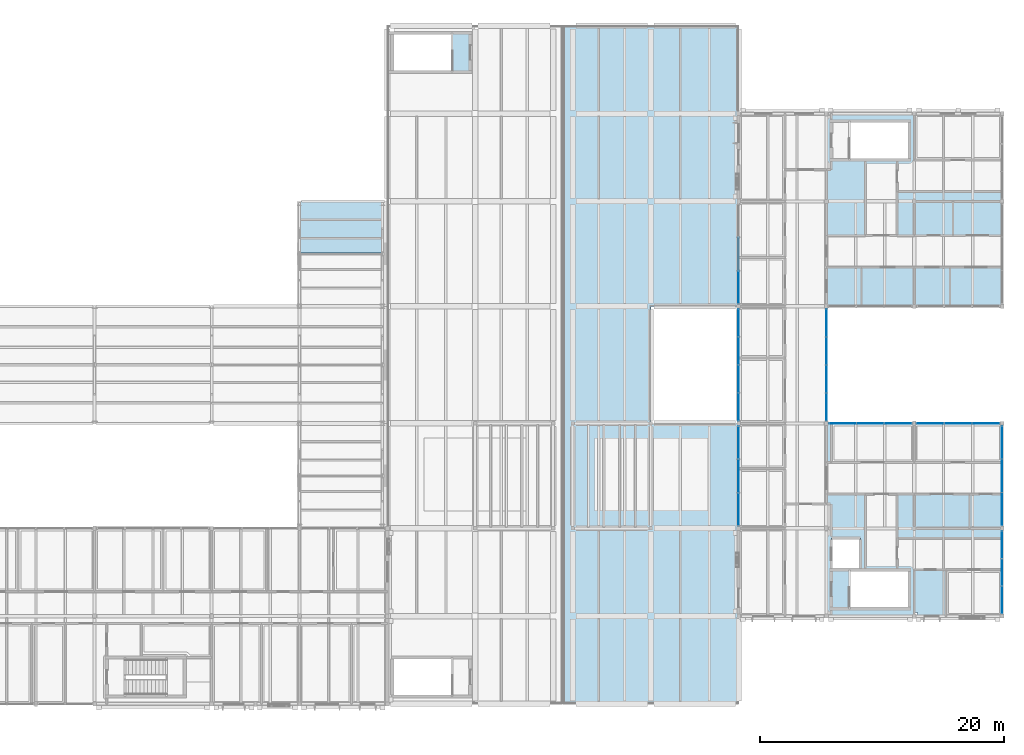
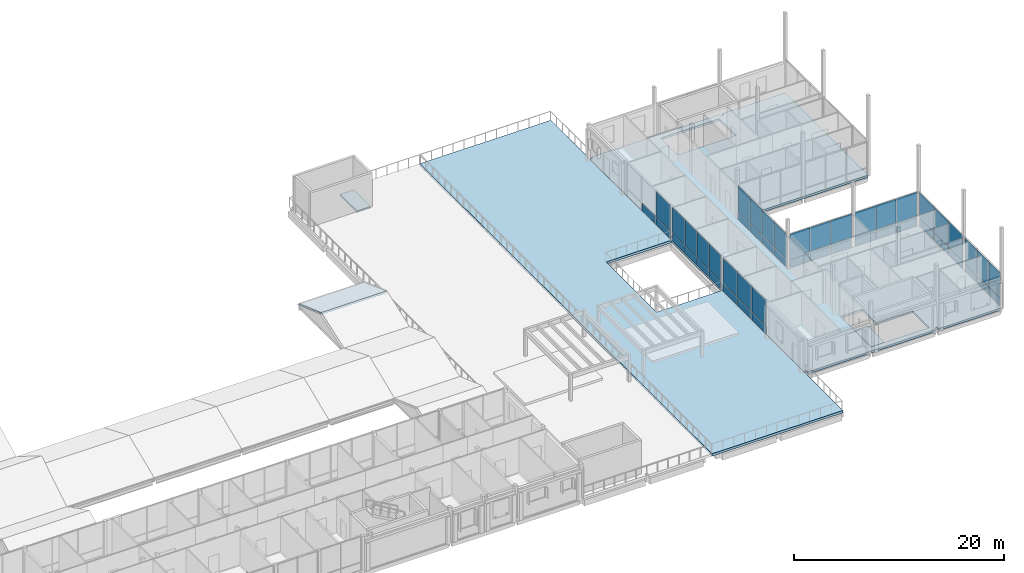
# One storey, part 71 of 115: 49 plates, 5 slabs, 8 elements without a shape of their own.
"""IFC4 building model written with IfcOpenShell, lengths in metres."""

from ifc_helpers import new_model, si_unit, direction, frame, origin, origin_2d, place, context, subcontext, project, spatial, polyline, rectangle, outline, extrude, material, layer, layer_set, type_object, element, aggregate, save


model = new_model("IFC4")

# Units and contexts
model_context = context("Model", 3, precision=1e-05, world=origin(), true_north=direction((0.0, 1.0)))
body_context = subcontext(model_context, "Body", "Model", "MODEL_VIEW")
ifc_project = project(units=[si_unit("LENGTHUNIT", "METRE"), si_unit("AREAUNIT", "SQUARE_METRE"), si_unit("VOLUMEUNIT", "CUBIC_METRE"), si_unit("PLANEANGLEUNIT", "RADIAN"), si_unit("MASSUNIT", "GRAM", prefix="KILO")], contexts=[model_context])

# Site, building, storey
site_placement = place(None, origin())
site = spatial("IfcSite", under=ifc_project, at=site_placement, CompositionType="ELEMENT")
building_placement = place(site_placement, origin())
building = spatial("IfcBuilding", under=site, at=building_placement, Name="Hawrajan Terrace Health Centre", CompositionType="ELEMENT")
storey_placement = place(building_placement, frame((0.0, 0.0, 9.0)))
storey = spatial("IfcBuildingStorey", under=building, at=storey_placement, Name="L02", CompositionType="ELEMENT", Elevation=9.0)

# Curtain wall, plates
ifc_material_1 = material(Name="Anodized bronze aluminium and low-E solar glazing", Category="aluminium")
curtain_wall_type_1 = type_object("IfcCurtainWallType", Name="CW_Court_SeriesA2", PredefinedType="USERDEFINED", material=ifc_material_1)
curtain_wall_1_placement = place(storey_placement, origin())
curtain_wall_1 = element("IfcCurtainWall", 1, at=curtain_wall_1_placement, inside=storey, type_object=curtain_wall_type_1, Name="Curtain wall CW-L02-146", ObjectType="UNITISED CURTAIN WALL", PredefinedType="USERDEFINED")
ifc_material_2 = material(Name="Diffused north-light insulated glazing", Category="glass")
ifc_layer_1 = layer(ifc_material_2, 0.031982421875)
ifc_layer_set_1 = layer_set([ifc_layer_1], Name="Diffused north-light insulated glazing")
plate_type_1 = type_object("IfcPlateType", Name="ClerestoryGlassPanel_32", PredefinedType="CURTAIN_PANEL", material=ifc_layer_set_1)
plate_1_placement = place(storey_placement, frame((143.800048828125, 20.16162109375, 0.9814453125), z_axis=(0.0, 0.0, 1.0), x_axis=(0.0, 1.0, 0.0)))
plate_1 = element("IfcPlate", 2, at=plate_1_placement, type_object=plate_type_1, Name="Curtain panel CW-L02-146-P1-2", PredefinedType="CURTAIN_PANEL", context=body_context, shape_type="SweptSolid", body=[
    extrude(rectangle(XDim=2.665283203125, YDim=0.031982421875, at=origin_2d()), origin(), (0.0, 0.0, 1.0), 2.949462890625),
])
plate_2_placement = place(storey_placement, frame((143.800048828125, 22.889892578125, 0.9814453125), z_axis=(0.0, 0.0, 1.0), x_axis=(0.0, 1.0, 0.0)))
plate_2 = element("IfcPlate", 3, at=plate_2_placement, type_object=plate_type_1, Name="Curtain panel CW-L02-146-P2-2", PredefinedType="CURTAIN_PANEL", context=body_context, shape_type="SweptSolid", body=[
    extrude(rectangle(XDim=2.665283203125, YDim=0.031982421875, at=origin_2d()), origin(), (0.0, 0.0, 1.0), 2.949462890625),
])
plate_3_placement = place(storey_placement, frame((143.800048828125, 25.618408203125, 0.9814453125), z_axis=(0.0, 0.0, 1.0), x_axis=(0.0, 1.0, 0.0)))
plate_3 = element("IfcPlate", 4, at=plate_3_placement, type_object=plate_type_1, Name="Curtain panel CW-L02-146-P3-2", PredefinedType="CURTAIN_PANEL", context=body_context, shape_type="SweptSolid", body=[
    extrude(rectangle(XDim=2.665283203125, YDim=0.031982421875, at=origin_2d()), origin(), (0.0, 0.0, 1.0), 2.949462890625),
])

# Curtain wall, plate
curtain_wall_type_2 = type_object("IfcCurtainWallType", Name="CW_Court_SeriesB2", PredefinedType="USERDEFINED", material=ifc_material_1)
curtain_wall_2_placement = place(storey_placement, origin())
curtain_wall_2 = element("IfcCurtainWall", 5, at=curtain_wall_2_placement, inside=storey, type_object=curtain_wall_type_2, Name="Curtain wall CW-L02-149", ObjectType="UNITISED CURTAIN WALL", PredefinedType="USERDEFINED")
plate_4_placement = place(storey_placement, frame((143.800048828125, 38.36181640625, 0.9814453125), z_axis=(0.0, 0.0, 1.0), x_axis=(0.0, 1.0, 0.0)))
plate_4 = element("IfcPlate", 6, at=plate_4_placement, type_object=plate_type_1, Name="Curtain panel CW-L02-149-P1-2", PredefinedType="CURTAIN_PANEL", context=body_context, shape_type="SweptSolid", body=[
    extrude(rectangle(XDim=2.665283203125, YDim=0.031982421875, at=origin_2d()), origin(), (0.0, 0.0, 1.0), 2.949462890625),
])

# Curtain wall, plates
curtain_wall_type_3 = type_object("IfcCurtainWallType", Name="CW_CourtNS_SeriesC2", PredefinedType="USERDEFINED", material=ifc_material_1)
curtain_wall_3_placement = place(storey_placement, origin())
curtain_wall_3 = element("IfcCurtainWall", 7, at=curtain_wall_3_placement, inside=storey, type_object=curtain_wall_type_3, Name="Curtain wall CW-L02-152", ObjectType="UNITISED CURTAIN WALL", PredefinedType="USERDEFINED")
plate_5_placement = place(storey_placement, frame((165.39990234375, 12.728271484375, 0.9814453125), z_axis=(0.0, 0.0, 1.0), x_axis=(0.0, 1.0, 0.0)))
plate_5 = element("IfcPlate", 8, at=plate_5_placement, type_object=plate_type_1, Name="Curtain panel CW-L02-152-P1-2", PredefinedType="CURTAIN_PANEL", context=body_context, shape_type="SweptSolid", body=[
    extrude(rectangle(XDim=2.19873046875, YDim=0.031982421875, at=origin_2d()), origin(), (0.0, 0.0, 1.0), 2.949462890625),
])
plate_6_placement = place(storey_placement, frame((165.39990234375, 14.989990234375, 0.9814453125), z_axis=(0.0, 0.0, 1.0), x_axis=(0.0, 1.0, 0.0)))
plate_6 = element("IfcPlate", 9, at=plate_6_placement, type_object=plate_type_1, Name="Curtain panel CW-L02-152-P2-2", PredefinedType="CURTAIN_PANEL", context=body_context, shape_type="SweptSolid", body=[
    extrude(rectangle(XDim=2.19873046875, YDim=0.031982421875, at=origin_2d()), origin(), (0.0, 0.0, 1.0), 2.949462890625),
])
plate_7_placement = place(storey_placement, frame((165.39990234375, 17.251708984375, 0.9814453125), z_axis=(0.0, 0.0, 1.0), x_axis=(0.0, 1.0, 0.0)))
plate_7 = element("IfcPlate", 10, at=plate_7_placement, type_object=plate_type_1, Name="Curtain panel CW-L02-152-P3-2", PredefinedType="CURTAIN_PANEL", context=body_context, shape_type="SweptSolid", body=[
    extrude(rectangle(XDim=2.19873046875, YDim=0.031982421875, at=origin_2d()), origin(), (0.0, 0.0, 1.0), 2.949462890625),
])

# Slabs
ifc_material_3 = material(Name="Cross-laminated timber CLT C24", Category="wood")
ifc_layer_2 = layer(ifc_material_3, 0.239990234375)
ifc_layer_set_2 = layer_set([ifc_layer_2], Name="Cross-laminated timber CLT C24")
slab_type_1 = type_object("IfcSlabType", Name="FloorSlab_CLT240", PredefinedType="FLOOR", material=ifc_layer_set_2)
slab_1_placement = place(storey_placement, frame((0.0, 0.0, -0.239990234375)))
element("IfcSlab", 11, at=slab_1_placement, inside=storey, type_object=slab_type_1, Name="Structural slab SL-L02-E-V6-Z6-1", PredefinedType="FLOOR", context=body_context, shape_type="SweptSolid", body=[
    extrude(outline(polyline([(144.35009765625, 36.800048828125), (144.35009765625, 37.35009765625), (143.800048828125, 37.35009765625), (143.800048828125, 45.39990234375), (143.800048828125, 52.320068359375), (144.080078125, 52.320068359375), (144.080078125, 52.60009765625), (151.0, 52.60009765625), (158.199951171875, 52.60009765625), (158.199951171875, 52.320068359375), (158.47998046875, 52.320068359375), (158.47998046875, 52.60009765625), (165.39990234375, 52.60009765625), (165.39990234375, 45.39990234375), (165.39990234375, 36.800048828125), (158.199951171875, 36.800048828125), (151.0, 36.800048828125), (151.0, 27.199951171875), (158.199951171875, 27.199951171875), (165.39990234375, 27.199951171875), (165.39990234375, 18.60009765625), (165.39990234375, 11.39990234375), (158.47998046875, 11.39990234375), (158.47998046875, 11.679931640625), (158.199951171875, 11.679931640625), (158.199951171875, 11.39990234375), (151.0, 11.39990234375), (144.080078125, 11.39990234375), (144.080078125, 11.679931640625), (143.800048828125, 11.679931640625), (143.800048828125, 18.60009765625), (143.800048828125, 27.199951171875), (143.800048828125, 36.800048828125), (144.35009765625, 36.800048828125)]), holes=[polyline([(157.800048828125, 12.0), (157.800048828125, 15.199951171875), (153.800048828125, 15.199951171875), (153.800048828125, 17.800048828125), (151.39990234375, 17.800048828125), (151.39990234375, 15.199951171875), (151.39990234375, 12.0), (157.800048828125, 12.0)]), polyline([(157.800048828125, 52.0), (151.39990234375, 52.0), (151.39990234375, 48.800048828125), (157.800048828125, 48.800048828125), (157.800048828125, 52.0)])]), origin(), (0.0, 0.0, 1.0), 0.239990234375),
])
ifc_layer_3 = layer(ifc_material_3, 0.179931640625)
ifc_layer_set_3 = layer_set([ifc_layer_3], Name="Cross-laminated timber CLT C24")
slab_type_2 = type_object("IfcSlabType", Name="RoofSlab_Tent180", PredefinedType="ROOF", material=ifc_layer_set_3)
slab_2_placement = place(storey_placement, frame((107.800048828125, 41.179931640625, 1.521240234375), z_axis=(0.0, 0.339124157787, 0.940741625318), x_axis=(1.0, 0.0, 0.0)))
element("IfcSlab", 12, at=slab_2_placement, inside=storey, type_object=slab_type_2, Name="Pitched tent roof slab RF-V1-14-TRS-NC-N", PredefinedType="ROOF", context=body_context, shape_type="SweptSolid", body=[
    extrude(outline(polyline([(0.0, 0.0), (7.179931640625, 0.0), (7.179931640625, 4.485791411324719), (0.0, 4.485791411324719), (0.0, 0.0)])), origin(), (0.0, 0.0, -1.0), 0.179931640625),
])

# Plate
ifc_material_4 = material(Name="Insulated anodized bronze spandrel panel")
ifc_layer_4 = layer(ifc_material_4, 0.048095703125)
ifc_layer_set_4 = layer_set([ifc_layer_4], Name="Insulated anodized bronze spandrel panel")
plate_type_2 = type_object("IfcPlateType", Name="SpandrelPanel_Bronze48", PredefinedType="CURTAIN_PANEL", material=ifc_layer_set_4)
plate_8_placement = place(storey_placement, frame((143.800048828125, 20.16162109375, 0.06884765625), z_axis=(0.0, 0.0, 1.0), x_axis=(0.0, 1.0, 0.0)))
plate_8 = element("IfcPlate", 13, at=plate_8_placement, type_object=plate_type_2, Name="Curtain panel CW-L02-146-P1-1", PredefinedType="CURTAIN_PANEL", context=body_context, shape_type="SweptSolid", body=[
    extrude(rectangle(XDim=2.665283203125, YDim=0.048095703125, at=origin_2d()), origin(), (0.0, 0.0, 1.0), 0.849609375),
])

plate_9_placement = place(storey_placement, frame((143.800048828125, 22.889892578125, 0.06884765625), z_axis=(0.0, 0.0, 1.0), x_axis=(0.0, 1.0, 0.0)))
plate_9 = element("IfcPlate", 14, at=plate_9_placement, type_object=plate_type_2, Name="Curtain panel CW-L02-146-P2-1", PredefinedType="CURTAIN_PANEL", context=body_context, shape_type="SweptSolid", body=[
    extrude(rectangle(XDim=2.665283203125, YDim=0.048095703125, at=origin_2d()), origin(), (0.0, 0.0, 1.0), 0.849609375),
])

plate_10_placement = place(storey_placement, frame((143.800048828125, 25.618408203125, 0.06884765625), z_axis=(0.0, 0.0, 1.0), x_axis=(0.0, 1.0, 0.0)))
plate_10 = element("IfcPlate", 15, at=plate_10_placement, type_object=plate_type_2, Name="Curtain panel CW-L02-146-P3-1", PredefinedType="CURTAIN_PANEL", context=body_context, shape_type="SweptSolid", body=[
    extrude(rectangle(XDim=2.665283203125, YDim=0.048095703125, at=origin_2d()), origin(), (0.0, 0.0, 1.0), 0.849609375),
])

aggregate(curtain_wall_1, [plate_8, plate_1, plate_9, plate_2, plate_10, plate_3])

# Curtain wall, plates
curtain_wall_type_4 = type_object("IfcCurtainWallType", Name="CW_Court_SeriesB1", PredefinedType="USERDEFINED", material=ifc_material_1)
curtain_wall_4_placement = place(storey_placement, origin())
curtain_wall_4 = element("IfcCurtainWall", 16, at=curtain_wall_4_placement, inside=storey, type_object=curtain_wall_type_4, Name="Curtain wall CW-L02-148", ObjectType="UNITISED CURTAIN WALL", PredefinedType="USERDEFINED")
plate_11_placement = place(storey_placement, frame((151.0, 28.5419921875, 0.05908203125), z_axis=(0.0, 0.0, 1.0), x_axis=(0.0, 1.0, 0.0)))
plate_11 = element("IfcPlate", 17, at=plate_11_placement, type_object=plate_type_2, Name="Curtain panel CW-L02-148-P1-1", PredefinedType="CURTAIN_PANEL", context=body_context, shape_type="SweptSolid", body=[
    extrude(rectangle(XDim=2.24560546875, YDim=0.048095703125, at=origin_2d()), origin(), (0.0, 0.0, 1.0), 0.864501953125),
])
plate_12_placement = place(storey_placement, frame((151.0, 30.840576171875, 0.05908203125), z_axis=(0.0, 0.0, 1.0), x_axis=(0.0, 1.0, 0.0)))
plate_12 = element("IfcPlate", 18, at=plate_12_placement, type_object=plate_type_2, Name="Curtain panel CW-L02-148-P2-1", PredefinedType="CURTAIN_PANEL", context=body_context, shape_type="SweptSolid", body=[
    extrude(rectangle(XDim=2.24560546875, YDim=0.048095703125, at=origin_2d()), origin(), (0.0, 0.0, 1.0), 0.864501953125),
])
plate_13_placement = place(storey_placement, frame((151.0, 33.139404296875, 0.05908203125), z_axis=(0.0, 0.0, 1.0), x_axis=(0.0, 1.0, 0.0)))
plate_13 = element("IfcPlate", 19, at=plate_13_placement, type_object=plate_type_2, Name="Curtain panel CW-L02-148-P3-1", PredefinedType="CURTAIN_PANEL", context=body_context, shape_type="SweptSolid", body=[
    extrude(rectangle(XDim=2.24560546875, YDim=0.048095703125, at=origin_2d()), origin(), (0.0, 0.0, 1.0), 0.864501953125),
])
plate_14_placement = place(storey_placement, frame((151.0, 35.43798828125, 0.05908203125), z_axis=(0.0, 0.0, 1.0), x_axis=(0.0, 1.0, 0.0)))
plate_14 = element("IfcPlate", 20, at=plate_14_placement, type_object=plate_type_2, Name="Curtain panel CW-L02-148-P4-1", PredefinedType="CURTAIN_PANEL", context=body_context, shape_type="SweptSolid", body=[
    extrude(rectangle(XDim=2.245849609375, YDim=0.048095703125, at=origin_2d()), origin(), (0.0, 0.0, 1.0), 0.864501953125),
])

curtain_wall_type_5 = type_object("IfcCurtainWallType", Name="CW_Court_SeriesB3", PredefinedType="USERDEFINED", material=ifc_material_1)
curtain_wall_5_placement = place(storey_placement, origin())
curtain_wall_5 = element("IfcCurtainWall", 21, at=curtain_wall_5_placement, inside=storey, type_object=curtain_wall_type_5, Name="Curtain wall CW-L02-150", ObjectType="UNITISED CURTAIN WALL", PredefinedType="USERDEFINED")
plate_15_placement = place(storey_placement, frame((152.331787109375, 27.199951171875, 0.05908203125), z_axis=(0.0, 0.0, 1.0), x_axis=(1.0, 0.0, 0.0)))
plate_15 = element("IfcPlate", 22, at=plate_15_placement, type_object=plate_type_2, Name="Curtain panel CW-L02-150-P1-1", PredefinedType="CURTAIN_PANEL", context=body_context, shape_type="SweptSolid", body=[
    extrude(rectangle(XDim=2.225341796875, YDim=0.048095703125, at=origin_2d()), origin(), (0.0, 0.0, 1.0), 0.864501953125),
])
plate_16_placement = place(storey_placement, frame((154.610107421875, 27.199951171875, 0.05908203125), z_axis=(0.0, 0.0, 1.0), x_axis=(1.0, 0.0, 0.0)))
plate_16 = element("IfcPlate", 23, at=plate_16_placement, type_object=plate_type_2, Name="Curtain panel CW-L02-150-P2-1", PredefinedType="CURTAIN_PANEL", context=body_context, shape_type="SweptSolid", body=[
    extrude(rectangle(XDim=2.225341796875, YDim=0.048095703125, at=origin_2d()), origin(), (0.0, 0.0, 1.0), 0.864501953125),
])
plate_17_placement = place(storey_placement, frame((156.88818359375, 27.199951171875, 0.05908203125), z_axis=(0.0, 0.0, 1.0), x_axis=(1.0, 0.0, 0.0)))
plate_17 = element("IfcPlate", 24, at=plate_17_placement, type_object=plate_type_2, Name="Curtain panel CW-L02-150-P3-1", PredefinedType="CURTAIN_PANEL", context=body_context, shape_type="SweptSolid", body=[
    extrude(rectangle(XDim=2.225341796875, YDim=0.048095703125, at=origin_2d()), origin(), (0.0, 0.0, 1.0), 0.864501953125),
])

# Plate
plate_18_placement = place(storey_placement, frame((165.39990234375, 12.728271484375, 0.06884765625), z_axis=(0.0, 0.0, 1.0), x_axis=(0.0, 1.0, 0.0)))
plate_18 = element("IfcPlate", 25, at=plate_18_placement, type_object=plate_type_2, Name="Curtain panel CW-L02-152-P1-1", PredefinedType="CURTAIN_PANEL", context=body_context, shape_type="SweptSolid", body=[
    extrude(rectangle(XDim=2.19873046875, YDim=0.048095703125, at=origin_2d()), origin(), (0.0, 0.0, 1.0), 0.849609375),
])

plate_19_placement = place(storey_placement, frame((165.39990234375, 14.989990234375, 0.06884765625), z_axis=(0.0, 0.0, 1.0), x_axis=(0.0, 1.0, 0.0)))
plate_19 = element("IfcPlate", 26, at=plate_19_placement, type_object=plate_type_2, Name="Curtain panel CW-L02-152-P2-1", PredefinedType="CURTAIN_PANEL", context=body_context, shape_type="SweptSolid", body=[
    extrude(rectangle(XDim=2.19873046875, YDim=0.048095703125, at=origin_2d()), origin(), (0.0, 0.0, 1.0), 0.849609375),
])

plate_20_placement = place(storey_placement, frame((165.39990234375, 17.251708984375, 0.06884765625), z_axis=(0.0, 0.0, 1.0), x_axis=(0.0, 1.0, 0.0)))
plate_20 = element("IfcPlate", 27, at=plate_20_placement, type_object=plate_type_2, Name="Curtain panel CW-L02-152-P3-1", PredefinedType="CURTAIN_PANEL", context=body_context, shape_type="SweptSolid", body=[
    extrude(rectangle(XDim=2.19873046875, YDim=0.048095703125, at=origin_2d()), origin(), (0.0, 0.0, 1.0), 0.849609375),
])

aggregate(curtain_wall_3, [plate_18, plate_5, plate_19, plate_6, plate_20, plate_7])

# Curtain wall, plates
curtain_wall_type_6 = type_object("IfcCurtainWallType", Name="CW_Hall_SeriesD1", PredefinedType="USERDEFINED", material=ifc_material_1)
curtain_wall_6_placement = place(storey_placement, origin())
curtain_wall_6 = element("IfcCurtainWall", 28, at=curtain_wall_6_placement, inside=storey, type_object=curtain_wall_type_6, Name="Curtain wall CW-L02-154", ObjectType="UNITISED CURTAIN WALL", PredefinedType="USERDEFINED")
plate_21_placement = place(storey_placement, frame((165.39990234375, 20.17822265625, 0.05908203125), z_axis=(0.0, 0.0, 1.0), x_axis=(0.0, 1.0, 0.0)))
plate_21 = element("IfcPlate", 29, at=plate_21_placement, type_object=plate_type_2, Name="Curtain panel CW-L02-154-P1-1", PredefinedType="CURTAIN_PANEL", context=body_context, shape_type="SweptSolid", body=[
    extrude(rectangle(XDim=2.6787109375, YDim=0.048095703125, at=origin_2d()), origin(), (0.0, 0.0, 1.0), 0.864501953125),
])
plate_22_placement = place(storey_placement, frame((165.39990234375, 22.909912109375, 0.05908203125), z_axis=(0.0, 0.0, 1.0), x_axis=(0.0, 1.0, 0.0)))
plate_22 = element("IfcPlate", 30, at=plate_22_placement, type_object=plate_type_2, Name="Curtain panel CW-L02-154-P2-1", PredefinedType="CURTAIN_PANEL", context=body_context, shape_type="SweptSolid", body=[
    extrude(rectangle(XDim=2.6787109375, YDim=0.048095703125, at=origin_2d()), origin(), (0.0, 0.0, 1.0), 0.864501953125),
])
plate_23_placement = place(storey_placement, frame((165.39990234375, 25.6416015625, 0.05908203125), z_axis=(0.0, 0.0, 1.0), x_axis=(0.0, 1.0, 0.0)))
plate_23 = element("IfcPlate", 31, at=plate_23_placement, type_object=plate_type_2, Name="Curtain panel CW-L02-154-P3-1", PredefinedType="CURTAIN_PANEL", context=body_context, shape_type="SweptSolid", body=[
    extrude(rectangle(XDim=2.6787109375, YDim=0.048095703125, at=origin_2d()), origin(), (0.0, 0.0, 1.0), 0.864501953125),
])

curtain_wall_type_7 = type_object("IfcCurtainWallType", Name="CW_Court_SeriesA3", PredefinedType="USERDEFINED", material=ifc_material_1)
curtain_wall_7_placement = place(storey_placement, origin())
curtain_wall_7 = element("IfcCurtainWall", 32, at=curtain_wall_7_placement, inside=storey, type_object=curtain_wall_type_7, Name="Curtain wall CW-L02-147", ObjectType="UNITISED CURTAIN WALL", PredefinedType="USERDEFINED")
ifc_material_5 = material(Name="Insulated reconstituted coral-stone spandrel", Category="masonry")
ifc_layer_5 = layer(ifc_material_5, 0.055908203125)
ifc_layer_set_5 = layer_set([ifc_layer_5], Name="Insulated reconstituted coral-stone spandrel")
plate_type_3 = type_object("IfcPlateType", Name="SpandrelPanel_Coral56", PredefinedType="CURTAIN_PANEL", material=ifc_layer_set_5)
plate_24_placement = place(storey_placement, frame((143.800048828125, 28.56201171875, 0.05908203125), z_axis=(0.0, 0.0, 1.0), x_axis=(0.0, 1.0, 0.0)))
plate_24 = element("IfcPlate", 33, at=plate_24_placement, type_object=plate_type_3, Name="Curtain panel CW-L02-147-P1-1", PredefinedType="CURTAIN_PANEL", context=body_context, shape_type="SweptSolid", body=[
    extrude(rectangle(XDim=2.245849609375, YDim=0.055908203125, at=origin_2d()), origin(), (0.0, 0.0, 1.0), 0.864501953125),
])
plate_25_placement = place(storey_placement, frame((143.800048828125, 30.860595703125, 0.05908203125), z_axis=(0.0, 0.0, 1.0), x_axis=(0.0, 1.0, 0.0)))
plate_25 = element("IfcPlate", 34, at=plate_25_placement, type_object=plate_type_3, Name="Curtain panel CW-L02-147-P2-1", PredefinedType="CURTAIN_PANEL", context=body_context, shape_type="SweptSolid", body=[
    extrude(rectangle(XDim=2.245849609375, YDim=0.055908203125, at=origin_2d()), origin(), (0.0, 0.0, 1.0), 0.864501953125),
])
plate_26_placement = place(storey_placement, frame((143.800048828125, 33.159423828125, 0.05908203125), z_axis=(0.0, 0.0, 1.0), x_axis=(0.0, 1.0, 0.0)))
plate_26 = element("IfcPlate", 35, at=plate_26_placement, type_object=plate_type_3, Name="Curtain panel CW-L02-147-P3-1", PredefinedType="CURTAIN_PANEL", context=body_context, shape_type="SweptSolid", body=[
    extrude(rectangle(XDim=2.245849609375, YDim=0.055908203125, at=origin_2d()), origin(), (0.0, 0.0, 1.0), 0.864501953125),
])
plate_27_placement = place(storey_placement, frame((143.800048828125, 35.4580078125, 0.05908203125), z_axis=(0.0, 0.0, 1.0), x_axis=(0.0, 1.0, 0.0)))
plate_27 = element("IfcPlate", 36, at=plate_27_placement, type_object=plate_type_3, Name="Curtain panel CW-L02-147-P4-1", PredefinedType="CURTAIN_PANEL", context=body_context, shape_type="SweptSolid", body=[
    extrude(rectangle(XDim=2.245849609375, YDim=0.055908203125, at=origin_2d()), origin(), (0.0, 0.0, 1.0), 0.864501953125),
])

# Plate
plate_28_placement = place(storey_placement, frame((143.800048828125, 38.36181640625, 0.06884765625), z_axis=(0.0, 0.0, 1.0), x_axis=(0.0, 1.0, 0.0)))
plate_28 = element("IfcPlate", 37, at=plate_28_placement, type_object=plate_type_3, Name="Curtain panel CW-L02-149-P1-1", PredefinedType="CURTAIN_PANEL", context=body_context, shape_type="SweptSolid", body=[
    extrude(rectangle(XDim=2.665283203125, YDim=0.055908203125, at=origin_2d()), origin(), (0.0, 0.0, 1.0), 0.849609375),
])

plate_29_placement = place(storey_placement, frame((143.800048828125, 41.090087890625, 0.06884765625), z_axis=(0.0, 0.0, 1.0), x_axis=(0.0, 1.0, 0.0)))
plate_29 = element("IfcPlate", 38, at=plate_29_placement, type_object=plate_type_3, Name="Curtain panel CW-L02-149-P2-1", PredefinedType="CURTAIN_PANEL", context=body_context, shape_type="SweptSolid", body=[
    extrude(rectangle(XDim=2.665283203125, YDim=0.055908203125, at=origin_2d()), origin(), (0.0, 0.0, 1.0), 0.849609375),
])

aggregate(curtain_wall_2, [plate_28, plate_4, plate_29])

# Curtain wall, plates
curtain_wall_type_8 = type_object("IfcCurtainWallType", Name="CW_CourtNS_SeriesC3", PredefinedType="USERDEFINED", material=ifc_material_1)
curtain_wall_8_placement = place(storey_placement, origin())
curtain_wall_8 = element("IfcCurtainWall", 39, at=curtain_wall_8_placement, inside=storey, type_object=curtain_wall_type_8, Name="Curtain wall CW-L02-153", ObjectType="UNITISED CURTAIN WALL", PredefinedType="USERDEFINED")
plate_30_placement = place(storey_placement, frame((159.51171875, 27.199951171875, 0.05908203125), z_axis=(0.0, 0.0, 1.0), x_axis=(1.0, 0.0, 0.0)))
plate_30 = element("IfcPlate", 40, at=plate_30_placement, type_object=plate_type_3, Name="Curtain panel CW-L02-153-P1-1", PredefinedType="CURTAIN_PANEL", context=body_context, shape_type="SweptSolid", body=[
    extrude(rectangle(XDim=2.225341796875, YDim=0.055908203125, at=origin_2d()), origin(), (0.0, 0.0, 1.0), 0.864501953125),
])
plate_31_placement = place(storey_placement, frame((161.7900390625, 27.199951171875, 0.05908203125), z_axis=(0.0, 0.0, 1.0), x_axis=(1.0, 0.0, 0.0)))
plate_31 = element("IfcPlate", 41, at=plate_31_placement, type_object=plate_type_3, Name="Curtain panel CW-L02-153-P2-1", PredefinedType="CURTAIN_PANEL", context=body_context, shape_type="SweptSolid", body=[
    extrude(rectangle(XDim=2.225341796875, YDim=0.055908203125, at=origin_2d()), origin(), (0.0, 0.0, 1.0), 0.864501953125),
])
plate_32_placement = place(storey_placement, frame((164.068359375, 27.199951171875, 0.05908203125), z_axis=(0.0, 0.0, 1.0), x_axis=(1.0, 0.0, 0.0)))
plate_32 = element("IfcPlate", 42, at=plate_32_placement, type_object=plate_type_3, Name="Curtain panel CW-L02-153-P3-1", PredefinedType="CURTAIN_PANEL", context=body_context, shape_type="SweptSolid", body=[
    extrude(rectangle(XDim=2.225341796875, YDim=0.055908203125, at=origin_2d()), origin(), (0.0, 0.0, 1.0), 0.864501953125),
])

# Slabs
ifc_material_6 = material(Name="Concrete C40/50", Category="concrete")
ifc_layer_6 = layer(ifc_material_6, 0.219970703125)
ifc_layer_set_6 = layer_set([ifc_layer_6], Name="Concrete C40/50")
slab_type_3 = type_object("IfcSlabType", Name="StairLanding_RC220", PredefinedType="LANDING", material=ifc_layer_set_6)
slab_3_placement = place(storey_placement, frame((0.0, 0.0, -0.219970703125)))
element("IfcSlab", 43, at=slab_3_placement, inside=storey, type_object=slab_type_3, Name="Stair top arrival landing ST-7", PredefinedType="LANDING", context=body_context, shape_type="SweptSolid", body=[
    extrude(outline(polyline([(120.300048828125, 56.0), (121.800048828125, 56.0), (121.800048828125, 59.199951171875), (120.300048828125, 59.199951171875), (120.300048828125, 56.0)])), origin(), (0.0, 0.0, 1.0), 0.219970703125),
])
slab_4_placement = place(storey_placement, frame((0.0, 0.0, -0.219970703125)))
element("IfcSlab", 44, at=slab_4_placement, inside=storey, type_object=slab_type_3, Name="Stair top arrival landing ST-8", PredefinedType="LANDING", context=body_context, shape_type="SweptSolid", body=[
    extrude(outline(polyline([(151.39990234375, 12.0), (152.89990234375, 12.0), (152.89990234375, 15.199951171875), (151.39990234375, 15.199951171875), (151.39990234375, 12.0)])), origin(), (0.0, 0.0, 1.0), 0.219970703125),
])
ifc_layer_7 = layer(ifc_material_6, 0.280029296875)
ifc_layer_set_7 = layer_set([ifc_layer_7], Name="Concrete C40/50")
slab_type_4 = type_object("IfcSlabType", Name="TerraceDeck_RC280", PredefinedType="FLOOR", material=ifc_layer_set_7)
slab_5_placement = place(storey_placement, frame((0.0, 0.0, -0.280029296875)))
element("IfcSlab", 45, at=slab_5_placement, inside=storey, type_object=slab_type_4, Name="External terrace deck TR-L02-TERR-L02-V5-E-1", PredefinedType="FLOOR", context=body_context, shape_type="SweptSolid", body=[
    extrude(outline(polyline([(129.405029296875, 18.60009765625), (129.405029296875, 27.199951171875), (129.405029296875, 36.800048828125), (129.405029296875, 45.39990234375), (129.405029296875, 52.60009765625), (129.405029296875, 59.800048828125), (136.60009765625, 59.800048828125), (143.800048828125, 59.800048828125), (143.800048828125, 52.60009765625), (143.800048828125, 52.320068359375), (143.800048828125, 45.39990234375), (143.800048828125, 37.35009765625), (143.800048828125, 36.800048828125), (136.60009765625, 36.800048828125), (136.60009765625, 27.199951171875), (143.800048828125, 27.199951171875), (143.800048828125, 18.60009765625), (143.800048828125, 11.679931640625), (143.800048828125, 11.39990234375), (143.800048828125, 4.199951171875), (136.60009765625, 4.199951171875), (129.405029296875, 4.199951171875), (129.405029296875, 11.39990234375), (129.405029296875, 18.60009765625)])), origin(), (0.0, 0.0, 1.0), 0.280029296875),
])

# Plate
ifc_material_7 = material(Name="Double-glazed solar control low-E glass", Category="glass")
ifc_layer_8 = layer(ifc_material_7, 0.028076171875)
ifc_layer_set_8 = layer_set([ifc_layer_8], Name="Double-glazed solar control low-E glass")
plate_type_4 = type_object("IfcPlateType", Name="VisionGlassPanel_28", PredefinedType="CURTAIN_PANEL", material=ifc_layer_set_8)
plate_33_placement = place(storey_placement, frame((143.800048828125, 28.56201171875, 0.9765625), z_axis=(0.0, 0.0, 1.0), x_axis=(0.0, 1.0, 0.0)))
plate_33 = element("IfcPlate", 46, at=plate_33_placement, type_object=plate_type_4, Name="Curtain panel CW-L02-147-P1-2", PredefinedType="CURTAIN_PANEL", context=body_context, shape_type="SweptSolid", body=[
    extrude(rectangle(XDim=2.245849609375, YDim=0.028076171875, at=origin_2d()), origin(), (0.0, 0.0, 1.0), 2.964599609375),
])

plate_34_placement = place(storey_placement, frame((143.800048828125, 30.860595703125, 0.9765625), z_axis=(0.0, 0.0, 1.0), x_axis=(0.0, 1.0, 0.0)))
plate_34 = element("IfcPlate", 47, at=plate_34_placement, type_object=plate_type_4, Name="Curtain panel CW-L02-147-P2-2", PredefinedType="CURTAIN_PANEL", context=body_context, shape_type="SweptSolid", body=[
    extrude(rectangle(XDim=2.245849609375, YDim=0.028076171875, at=origin_2d()), origin(), (0.0, 0.0, 1.0), 2.964599609375),
])

plate_35_placement = place(storey_placement, frame((143.800048828125, 33.159423828125, 0.9765625), z_axis=(0.0, 0.0, 1.0), x_axis=(0.0, 1.0, 0.0)))
plate_35 = element("IfcPlate", 48, at=plate_35_placement, type_object=plate_type_4, Name="Curtain panel CW-L02-147-P3-2", PredefinedType="CURTAIN_PANEL", context=body_context, shape_type="SweptSolid", body=[
    extrude(rectangle(XDim=2.245849609375, YDim=0.028076171875, at=origin_2d()), origin(), (0.0, 0.0, 1.0), 2.964599609375),
])

plate_36_placement = place(storey_placement, frame((143.800048828125, 35.4580078125, 0.9765625), z_axis=(0.0, 0.0, 1.0), x_axis=(0.0, 1.0, 0.0)))
plate_36 = element("IfcPlate", 49, at=plate_36_placement, type_object=plate_type_4, Name="Curtain panel CW-L02-147-P4-2", PredefinedType="CURTAIN_PANEL", context=body_context, shape_type="SweptSolid", body=[
    extrude(rectangle(XDim=2.245849609375, YDim=0.028076171875, at=origin_2d()), origin(), (0.0, 0.0, 1.0), 2.964599609375),
])

aggregate(curtain_wall_7, [plate_24, plate_33, plate_25, plate_34, plate_26, plate_35, plate_27, plate_36])

plate_37_placement = place(storey_placement, frame((152.331787109375, 27.199951171875, 0.9765625), z_axis=(0.0, 0.0, 1.0), x_axis=(1.0, 0.0, 0.0)))
plate_37 = element("IfcPlate", 50, at=plate_37_placement, type_object=plate_type_4, Name="Curtain panel CW-L02-150-P1-2", PredefinedType="CURTAIN_PANEL", context=body_context, shape_type="SweptSolid", body=[
    extrude(rectangle(XDim=2.225341796875, YDim=0.028076171875, at=origin_2d()), origin(), (0.0, 0.0, 1.0), 2.964599609375),
])

plate_38_placement = place(storey_placement, frame((154.610107421875, 27.199951171875, 0.9765625), z_axis=(0.0, 0.0, 1.0), x_axis=(1.0, 0.0, 0.0)))
plate_38 = element("IfcPlate", 51, at=plate_38_placement, type_object=plate_type_4, Name="Curtain panel CW-L02-150-P2-2", PredefinedType="CURTAIN_PANEL", context=body_context, shape_type="SweptSolid", body=[
    extrude(rectangle(XDim=2.225341796875, YDim=0.028076171875, at=origin_2d()), origin(), (0.0, 0.0, 1.0), 2.964599609375),
])

plate_39_placement = place(storey_placement, frame((156.88818359375, 27.199951171875, 0.9765625), z_axis=(0.0, 0.0, 1.0), x_axis=(1.0, 0.0, 0.0)))
plate_39 = element("IfcPlate", 52, at=plate_39_placement, type_object=plate_type_4, Name="Curtain panel CW-L02-150-P3-2", PredefinedType="CURTAIN_PANEL", context=body_context, shape_type="SweptSolid", body=[
    extrude(rectangle(XDim=2.225341796875, YDim=0.028076171875, at=origin_2d()), origin(), (0.0, 0.0, 1.0), 2.964599609375),
])

aggregate(curtain_wall_5, [plate_15, plate_37, plate_16, plate_38, plate_17, plate_39])

plate_40_placement = place(storey_placement, frame((159.51171875, 27.199951171875, 0.9765625), z_axis=(0.0, 0.0, 1.0), x_axis=(1.0, 0.0, 0.0)))
plate_40 = element("IfcPlate", 53, at=plate_40_placement, type_object=plate_type_4, Name="Curtain panel CW-L02-153-P1-2", PredefinedType="CURTAIN_PANEL", context=body_context, shape_type="SweptSolid", body=[
    extrude(rectangle(XDim=2.225341796875, YDim=0.028076171875, at=origin_2d()), origin(), (0.0, 0.0, 1.0), 2.964599609375),
])

plate_41_placement = place(storey_placement, frame((161.7900390625, 27.199951171875, 0.9765625), z_axis=(0.0, 0.0, 1.0), x_axis=(1.0, 0.0, 0.0)))
plate_41 = element("IfcPlate", 54, at=plate_41_placement, type_object=plate_type_4, Name="Curtain panel CW-L02-153-P2-2", PredefinedType="CURTAIN_PANEL", context=body_context, shape_type="SweptSolid", body=[
    extrude(rectangle(XDim=2.225341796875, YDim=0.028076171875, at=origin_2d()), origin(), (0.0, 0.0, 1.0), 2.964599609375),
])

plate_42_placement = place(storey_placement, frame((164.068359375, 27.199951171875, 0.9765625), z_axis=(0.0, 0.0, 1.0), x_axis=(1.0, 0.0, 0.0)))
plate_42 = element("IfcPlate", 55, at=plate_42_placement, type_object=plate_type_4, Name="Curtain panel CW-L02-153-P3-2", PredefinedType="CURTAIN_PANEL", context=body_context, shape_type="SweptSolid", body=[
    extrude(rectangle(XDim=2.225341796875, YDim=0.028076171875, at=origin_2d()), origin(), (0.0, 0.0, 1.0), 2.964599609375),
])

aggregate(curtain_wall_8, [plate_30, plate_40, plate_31, plate_41, plate_32, plate_42])

ifc_material_8 = material(Name="Triple-glazed solar acoustic low-E glass", Category="glass")
ifc_layer_9 = layer(ifc_material_8, 0.035888671875)
ifc_layer_set_9 = layer_set([ifc_layer_9], Name="Triple-glazed solar acoustic low-E glass")
plate_type_5 = type_object("IfcPlateType", Name="VisionGlassPanel_36", PredefinedType="CURTAIN_PANEL", material=ifc_layer_set_9)
plate_43_placement = place(storey_placement, frame((151.0, 28.5419921875, 0.9765625), z_axis=(0.0, 0.0, 1.0), x_axis=(0.0, 1.0, 0.0)))
plate_43 = element("IfcPlate", 56, at=plate_43_placement, type_object=plate_type_5, Name="Curtain panel CW-L02-148-P1-2", PredefinedType="CURTAIN_PANEL", context=body_context, shape_type="SweptSolid", body=[
    extrude(rectangle(XDim=2.24560546875, YDim=0.035888671875, at=origin_2d()), origin(), (0.0, 0.0, 1.0), 2.964599609375),
])

plate_44_placement = place(storey_placement, frame((151.0, 30.840576171875, 0.9765625), z_axis=(0.0, 0.0, 1.0), x_axis=(0.0, 1.0, 0.0)))
plate_44 = element("IfcPlate", 57, at=plate_44_placement, type_object=plate_type_5, Name="Curtain panel CW-L02-148-P2-2", PredefinedType="CURTAIN_PANEL", context=body_context, shape_type="SweptSolid", body=[
    extrude(rectangle(XDim=2.24560546875, YDim=0.035888671875, at=origin_2d()), origin(), (0.0, 0.0, 1.0), 2.964599609375),
])

plate_45_placement = place(storey_placement, frame((151.0, 33.139404296875, 0.9765625), z_axis=(0.0, 0.0, 1.0), x_axis=(0.0, 1.0, 0.0)))
plate_45 = element("IfcPlate", 58, at=plate_45_placement, type_object=plate_type_5, Name="Curtain panel CW-L02-148-P3-2", PredefinedType="CURTAIN_PANEL", context=body_context, shape_type="SweptSolid", body=[
    extrude(rectangle(XDim=2.24560546875, YDim=0.035888671875, at=origin_2d()), origin(), (0.0, 0.0, 1.0), 2.964599609375),
])

plate_46_placement = place(storey_placement, frame((151.0, 35.43798828125, 0.9765625), z_axis=(0.0, 0.0, 1.0), x_axis=(0.0, 1.0, 0.0)))
plate_46 = element("IfcPlate", 59, at=plate_46_placement, type_object=plate_type_5, Name="Curtain panel CW-L02-148-P4-2", PredefinedType="CURTAIN_PANEL", context=body_context, shape_type="SweptSolid", body=[
    extrude(rectangle(XDim=2.245849609375, YDim=0.035888671875, at=origin_2d()), origin(), (0.0, 0.0, 1.0), 2.964599609375),
])

aggregate(curtain_wall_4, [plate_11, plate_43, plate_12, plate_44, plate_13, plate_45, plate_14, plate_46])

plate_47_placement = place(storey_placement, frame((165.39990234375, 20.17822265625, 0.9765625), z_axis=(0.0, 0.0, 1.0), x_axis=(0.0, 1.0, 0.0)))
plate_47 = element("IfcPlate", 60, at=plate_47_placement, type_object=plate_type_5, Name="Curtain panel CW-L02-154-P1-2", PredefinedType="CURTAIN_PANEL", context=body_context, shape_type="SweptSolid", body=[
    extrude(rectangle(XDim=2.6787109375, YDim=0.035888671875, at=origin_2d()), origin(), (0.0, 0.0, 1.0), 2.964599609375),
])

plate_48_placement = place(storey_placement, frame((165.39990234375, 22.909912109375, 0.9765625), z_axis=(0.0, 0.0, 1.0), x_axis=(0.0, 1.0, 0.0)))
plate_48 = element("IfcPlate", 61, at=plate_48_placement, type_object=plate_type_5, Name="Curtain panel CW-L02-154-P2-2", PredefinedType="CURTAIN_PANEL", context=body_context, shape_type="SweptSolid", body=[
    extrude(rectangle(XDim=2.6787109375, YDim=0.035888671875, at=origin_2d()), origin(), (0.0, 0.0, 1.0), 2.964599609375),
])

plate_49_placement = place(storey_placement, frame((165.39990234375, 25.6416015625, 0.9765625), z_axis=(0.0, 0.0, 1.0), x_axis=(0.0, 1.0, 0.0)))
plate_49 = element("IfcPlate", 62, at=plate_49_placement, type_object=plate_type_5, Name="Curtain panel CW-L02-154-P3-2", PredefinedType="CURTAIN_PANEL", context=body_context, shape_type="SweptSolid", body=[
    extrude(rectangle(XDim=2.6787109375, YDim=0.035888671875, at=origin_2d()), origin(), (0.0, 0.0, 1.0), 2.964599609375),
])

aggregate(curtain_wall_6, [plate_21, plate_47, plate_22, plate_48, plate_23, plate_49])

save(model, "model.ifc")
